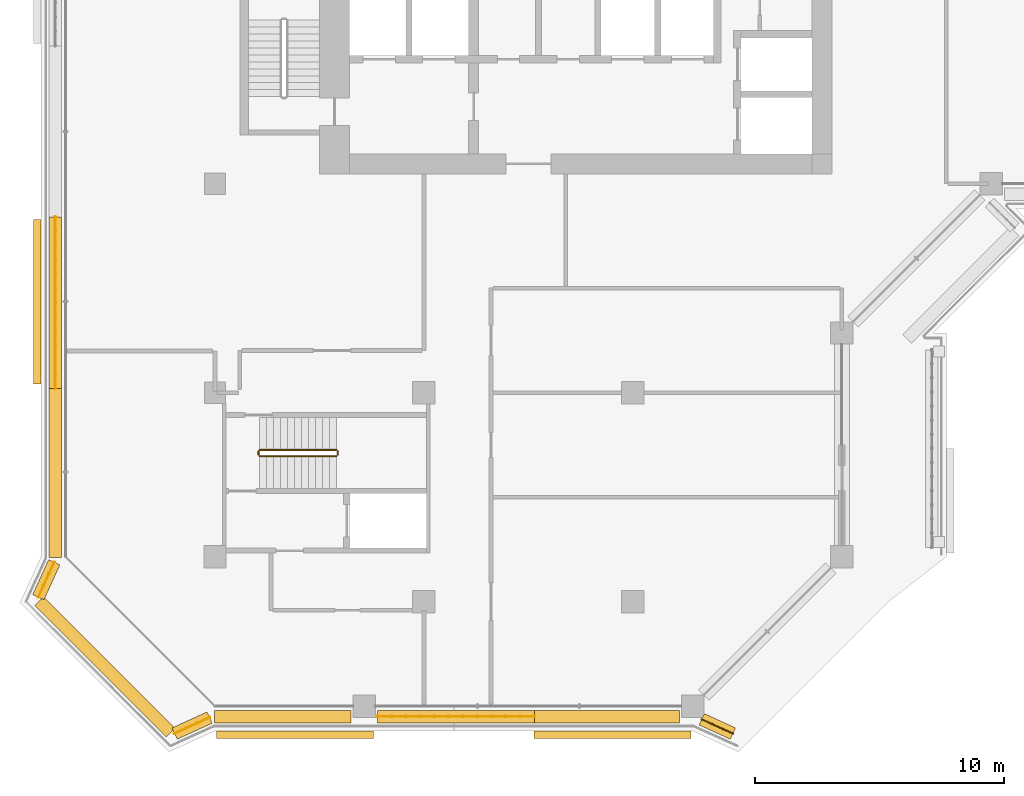
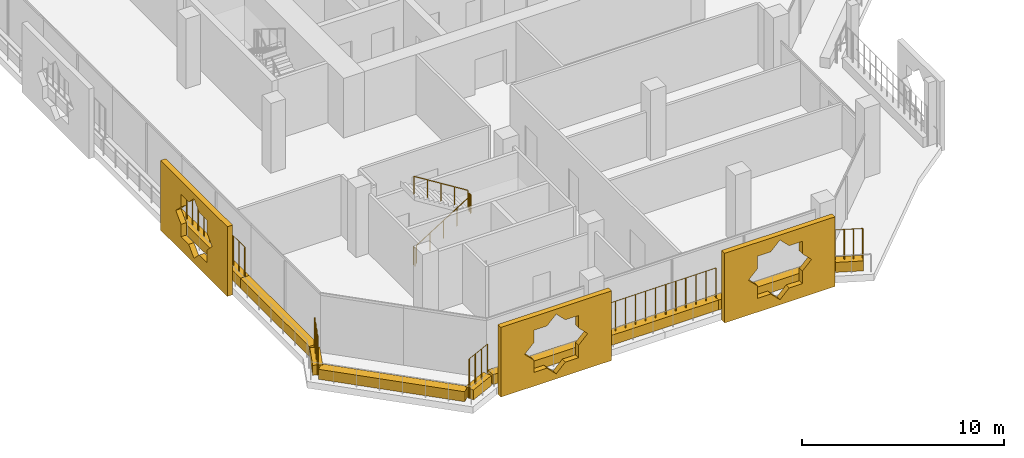
# One storey, part 14 of 20: 12 coverings, 9 railings.
"""IFC4 building model written with IfcOpenShell, lengths in metres."""

from ifc_helpers import new_model, si_unit, direction, frame, origin, origin_2d, place, context, subcontext, project, spatial, polyline, rectangle, circle, outline, extrude, material, material_profile, profile_set, type_object, element, save


model = new_model("IFC4")

# Units and contexts
model_context = context("Model", 3, precision=1e-05, world=origin(), true_north=direction((0.0, 1.0)))
body_context = subcontext(model_context, "Body", "Model", "MODEL_VIEW")
ifc_project = project(units=[si_unit("LENGTHUNIT", "METRE"), si_unit("AREAUNIT", "SQUARE_METRE"), si_unit("VOLUMEUNIT", "CUBIC_METRE"), si_unit("PLANEANGLEUNIT", "RADIAN"), si_unit("MASSUNIT", "GRAM", prefix="KILO")], contexts=[model_context])

# Site, building, storey
site_placement = place(None, origin())
site = spatial("IfcSite", under=ifc_project, at=site_placement, CompositionType="ELEMENT")
building_placement = place(site_placement, origin())
building = spatial("IfcBuilding", under=site, at=building_placement, Name="Kawkab Arch Medical Tower", CompositionType="ELEMENT")
storey_placement = place(building_placement, frame((0.0, 0.0, 239.0)))
storey = spatial("IfcBuildingStorey", under=building, at=storey_placement, Name="L55", CompositionType="ELEMENT", Elevation=239.0)

# Coverings
ifc_material_1 = material(Name="Bronze anodised aluminium mashrabiya panel, eight-point star pattern", Category="aluminium")
ifc_material_profile_1 = material_profile(ifc_material_1, outline(polyline([(-3.14990234375, -2.10009765625), (3.14990234375, -2.10009765625), (3.14990234375, 2.10009765625), (-3.14990234375, 2.10009765625), (-3.14990234375, -2.10009765625)]), holes=[polyline([(1.800048828125, 0.0), (1.272705078125, 0.527099609375), (1.272705078125, 1.272705078125), (0.527099609375, 1.272705078125), (0.0, 1.800048828125), (-0.527099609375, 1.272705078125), (-1.272705078125, 1.272705078125), (-1.272705078125, 0.527099609375), (-1.800048828125, 0.0), (-1.272705078125, -0.527099609375), (-1.272705078125, -1.272705078125), (-0.527099609375, -1.272705078125), (0.0, -1.800048828125), (0.527099609375, -1.272705078125), (1.272705078125, -1.272705078125), (1.272705078125, -0.527099609375), (1.800048828125, 0.0)])]), Name="Mashrabiya panel 6300x4200")
ifc_profile_set_1 = profile_set([ifc_material_profile_1], Name="Bronze anodised aluminium mashrabiya panel, eight-point star pattern")
covering_type_1 = type_object("IfcCoveringType", Name="Mashrabiya panel 6300 x 4200", PredefinedType="USERDEFINED", material=ifc_profile_set_1)
for number, where, z_axis, x_axis, name in (
    (1, (15.9814453125, -47.199951171875, 1.699951171875), (0.0, -1.0, 0.0), (1.0, 0.0, 0.0), "Mashrabiya panel L55.LOG-01-01.1"),
    (2, (3.218505859375, -47.199951171875, 1.699951171875), (0.0, -1.0, 0.0), (1.0, 0.0, 0.0), "Mashrabiya panel L55.LOG-01-01.2"),
):
    element("IfcCovering", number, at=place(storey_placement, frame(where, z_axis=z_axis, x_axis=x_axis)), inside=storey, type_object=covering_type_1, Name=name, ObjectType="SCREEN", PredefinedType="USERDEFINED", context=body_context, shape_type="SweptSolid", body=[
        extrude(outline(polyline([(-3.14990234375, -2.10009765625), (3.14990234375, -2.10009765625), (3.14990234375, 2.10009765625), (-3.14990234375, 2.10009765625), (-3.14990234375, -2.10009765625)]), holes=[polyline([(1.800048828125, 0.0), (1.272705078125, 0.527099609375), (1.272705078125, 1.272705078125), (0.527099609375, 1.272705078125), (0.0, 1.800048828125), (-0.527099609375, 1.272705078125), (-1.272705078125, 1.272705078125), (-1.272705078125, 0.527099609375), (-1.800048828125, 0.0), (-1.272705078125, -0.527099609375), (-1.272705078125, -1.272705078125), (-0.527099609375, -1.272705078125), (0.0, -1.800048828125), (0.527099609375, -1.272705078125), (1.272705078125, -1.272705078125), (1.272705078125, -0.527099609375), (1.800048828125, 0.0)])]), origin(), (0.0, 0.0, 1.0), 0.300048828125),
    ])
ifc_material_2 = material(Name="Bronze anodised aluminium mashrabiya panel, eight-point star pattern", Category="aluminium")
ifc_material_profile_2 = material_profile(ifc_material_2, outline(polyline([(-3.300048828125, -2.10009765625), (3.300048828125, -2.10009765625), (3.300048828125, 2.10009765625), (-3.300048828125, 2.10009765625), (-3.300048828125, -2.10009765625)]), holes=[polyline([(1.800048828125, 0.0), (1.272705078125, 0.527099609375), (1.272705078125, 1.272705078125), (0.527099609375, 1.272705078125), (0.0, 1.800048828125), (-0.527099609375, 1.272705078125), (-1.272705078125, 1.272705078125), (-1.272705078125, 0.527099609375), (-1.800048828125, 0.0), (-1.272705078125, -0.527099609375), (-1.272705078125, -1.272705078125), (-0.527099609375, -1.272705078125), (0.0, -1.800048828125), (0.527099609375, -1.272705078125), (1.272705078125, -1.272705078125), (1.272705078125, -0.527099609375), (1.800048828125, 0.0)])]), Name="Mashrabiya panel 6600x4200")
ifc_profile_set_2 = profile_set([ifc_material_profile_2], Name="Bronze anodised aluminium mashrabiya panel, eight-point star pattern")
covering_type_2 = type_object("IfcCoveringType", Name="Mashrabiya panel 6600 x 4200", PredefinedType="USERDEFINED", material=ifc_profile_set_2)
covering_1_placement = place(storey_placement, frame((-7.0, -29.94091796875, 1.699951171875), z_axis=(-1.0, 0.0, 0.0), x_axis=(0.0, -1.0, 0.0)))
element("IfcCovering", 3, at=covering_1_placement, inside=storey, type_object=covering_type_2, Name="Mashrabiya panel L55.LOG-01-01.3", ObjectType="SCREEN", PredefinedType="USERDEFINED", context=body_context, shape_type="SweptSolid", body=[
    extrude(outline(polyline([(-3.300048828125, -2.10009765625), (3.300048828125, -2.10009765625), (3.300048828125, 2.10009765625), (-3.300048828125, 2.10009765625), (-3.300048828125, -2.10009765625)]), holes=[polyline([(1.800048828125, 0.0), (1.272705078125, 0.527099609375), (1.272705078125, 1.272705078125), (0.527099609375, 1.272705078125), (0.0, 1.800048828125), (-0.527099609375, 1.272705078125), (-1.272705078125, 1.272705078125), (-1.272705078125, 0.527099609375), (-1.800048828125, 0.0), (-1.272705078125, -0.527099609375), (-1.272705078125, -1.272705078125), (-0.527099609375, -1.272705078125), (0.0, -1.800048828125), (0.527099609375, -1.272705078125), (1.272705078125, -1.272705078125), (1.272705078125, -0.527099609375), (1.800048828125, 0.0)])]), origin(), (0.0, 0.0, 1.0), 0.300048828125),
])
ifc_material_3 = material(Name="Planting soil in a precast trough", Category="concrete")
ifc_material_profile_3 = material_profile(ifc_material_3, rectangle(XDim=0.5, YDim=0.60009765625, at=origin_2d()), Name="Trough 500x600")
ifc_profile_set_3 = profile_set([ifc_material_profile_3], Name="Planting soil in a precast trough")
covering_type_3 = type_object("IfcCoveringType", Name="Planter trough 500 x 600", PredefinedType="USERDEFINED", material=ifc_profile_set_3)
covering_2_placement = place(storey_placement, frame((20.821044921875, -47.302001953125, 0.300048828125), z_axis=(-0.909831953447, 0.41497688669, 0.0), x_axis=(-0.41497688669, -0.909831953447, 0.0)))
element("IfcCovering", 4, at=covering_2_placement, inside=storey, type_object=covering_type_3, Name="Planter L55.LOG-01-01.1", ObjectType="PLANTER", PredefinedType="USERDEFINED", context=body_context, shape_type="SweptSolid", body=[
    extrude(rectangle(XDim=0.5, YDim=0.60009765625, at=origin_2d()), origin(), (0.0, 0.0, 1.0), 1.37841796875),
])
covering_3_placement = place(storey_placement, frame((18.669921875, -46.6201171875, 0.300048828125), z_axis=(-1.0, 0.0, 0.0), x_axis=(0.0, -1.0, 0.0)))
element("IfcCovering", 5, at=covering_3_placement, inside=storey, type_object=covering_type_3, Name="Planter L55.LOG-01-01.2", ObjectType="PLANTER", PredefinedType="USERDEFINED", context=body_context, shape_type="SweptSolid", body=[
    extrude(rectangle(XDim=0.5, YDim=0.60009765625, at=origin_2d()), origin(), (0.0, 0.0, 1.0), 5.827880859375),
])
covering_4_placement = place(storey_placement, frame((12.842041015625, -46.6201171875, 0.300048828125), z_axis=(-1.0, 0.0, 0.0), x_axis=(0.0, -1.0, 0.0)))
element("IfcCovering", 6, at=covering_4_placement, inside=storey, type_object=covering_type_3, Name="Planter L55.LOG-01-01.3", ObjectType="PLANTER", PredefinedType="USERDEFINED", context=body_context, shape_type="SweptSolid", body=[
    extrude(rectangle(XDim=0.5, YDim=0.60009765625, at=origin_2d()), origin(), (0.0, 0.0, 1.0), 6.31201171875),
])
covering_5_placement = place(storey_placement, frame((5.469970703125, -46.6201171875, 0.300048828125), z_axis=(-1.0, 0.0, 0.0), x_axis=(0.0, -1.0, 0.0)))
element("IfcCovering", 7, at=covering_5_placement, inside=storey, type_object=covering_type_3, Name="Planter L55.LOG-01-01.4", ObjectType="PLANTER", PredefinedType="USERDEFINED", context=body_context, shape_type="SweptSolid", body=[
    extrude(rectangle(XDim=0.5, YDim=0.60009765625, at=origin_2d()), origin(), (0.0, 0.0, 1.0), 5.495849609375),
])
covering_6_placement = place(storey_placement, frame((-0.217041015625, -46.660888671875, 0.300048828125), z_axis=(-0.909655525109, -0.415363486165, 0.0), x_axis=(0.415363486165, -0.909655525109, 0.0)))
element("IfcCovering", 8, at=covering_6_placement, inside=storey, type_object=covering_type_3, Name="Planter L55.LOG-01-01.5", ObjectType="PLANTER", PredefinedType="USERDEFINED", context=body_context, shape_type="SweptSolid", body=[
    extrude(rectangle(XDim=0.5, YDim=0.60009765625, at=origin_2d()), origin(), (0.0, 0.0, 1.0), 1.54345703125),
])
covering_7_placement = place(storey_placement, frame((-1.782958984375, -47.27294921875, 0.300048828125), z_axis=(-0.707106781187, 0.707106781187, 0.0), x_axis=(-0.707106781187, -0.707106781187, 0.0)))
element("IfcCovering", 9, at=covering_7_placement, inside=storey, type_object=covering_type_3, Name="Planter L55.LOG-01-01.6", ObjectType="PLANTER", PredefinedType="USERDEFINED", context=body_context, shape_type="SweptSolid", body=[
    extrude(rectangle(XDim=0.5, YDim=0.60009765625, at=origin_2d()), origin(), (0.0, 0.0, 1.0), 7.481201171875),
])
covering_8_placement = place(storey_placement, frame((-7.10205078125, -41.821044921875, 0.300048828125), z_axis=(0.415363486165, 0.909655525109, 0.0), x_axis=(-0.909655525109, 0.415363486165, 0.0)))
element("IfcCovering", 10, at=covering_8_placement, inside=storey, type_object=covering_type_3, Name="Planter L55.LOG-01-01.7", ObjectType="PLANTER", PredefinedType="USERDEFINED", context=body_context, shape_type="SweptSolid", body=[
    extrude(rectangle(XDim=0.5, YDim=0.60009765625, at=origin_2d()), origin(), (0.0, 0.0, 1.0), 1.54345703125),
])
covering_9_placement = place(storey_placement, frame((-6.419921875, -40.22607421875, 0.300048828125), z_axis=(0.0, 1.0, 0.0), x_axis=(-1.0, 0.0, 0.0)))
element("IfcCovering", 11, at=covering_9_placement, inside=storey, type_object=covering_type_3, Name="Planter L55.LOG-01-01.8", ObjectType="PLANTER", PredefinedType="USERDEFINED", context=body_context, shape_type="SweptSolid", body=[
    extrude(rectangle(XDim=0.5, YDim=0.60009765625, at=origin_2d()), origin(), (0.0, 0.0, 1.0), 6.7900390625),
])
covering_10_placement = place(storey_placement, frame((-6.419921875, -33.43603515625, 0.300048828125), z_axis=(0.0, 1.0, 0.0), x_axis=(-1.0, 0.0, 0.0)))
element("IfcCovering", 12, at=covering_10_placement, inside=storey, type_object=covering_type_3, Name="Planter L55.LOG-01-01.9", ObjectType="PLANTER", PredefinedType="USERDEFINED", context=body_context, shape_type="SweptSolid", body=[
    extrude(rectangle(XDim=0.5, YDim=0.60009765625, at=origin_2d()), origin(), (0.0, 0.0, 1.0), 6.89111328125),
])

# Railings
ifc_material_4 = material(Name="Bronze anodised aluminium trellis for climbing plants", Category="aluminium")
railing_type_1 = type_object("IfcRailingType", Name="Planting trellis 2400", PredefinedType="USERDEFINED", material=ifc_material_4)
railing_1_placement = place(storey_placement, frame((20.821044921875, -47.302001953125, 0.0)))
element("IfcRailing", 13, at=railing_1_placement, inside=storey, type_object=railing_type_1, Name="Planting trellis L55.LOG-01-01.1", ObjectType="TRELLIS", PredefinedType="USERDEFINED", context=body_context, shape_type="SweptSolid", body=[
    extrude(circle(Radius=0.01513671875, at=origin_2d()), frame((0.0, 0.0, 2.384765625), z_axis=(-0.909831953447, 0.41497688669, 0.0), x_axis=(-0.41497688669, -0.909831953447, 0.0)), (0.0, 0.0, 1.0), 1.37841796875),
    extrude(circle(Radius=0.030029296875, at=origin_2d()), origin(), (0.0, 0.0, 1.0), 2.369873046875),
    extrude(circle(Radius=0.030029296875, at=origin_2d()), frame((-0.41796875, 0.190673828125, 0.0)), (0.0, 0.0, 1.0), 2.369873046875),
    extrude(circle(Radius=0.030029296875, at=origin_2d()), frame((-0.836181640625, 0.38134765625, 0.0)), (0.0, 0.0, 1.0), 2.369873046875),
    extrude(circle(Radius=0.030029296875, at=origin_2d()), frame((-1.254150390625, 0.572021484375, 0.0)), (0.0, 0.0, 1.0), 2.369873046875),
])
railing_2_placement = place(storey_placement, frame((12.842041015625, -46.6201171875, 0.0)))
element("IfcRailing", 14, at=railing_2_placement, inside=storey, type_object=railing_type_1, Name="Planting trellis L55.LOG-01-01.3", ObjectType="TRELLIS", PredefinedType="USERDEFINED", context=body_context, shape_type="SweptSolid", body=[
    extrude(circle(Radius=0.01513671875, at=origin_2d()), frame((0.0, 0.0, 2.384765625), z_axis=(-1.0, 0.0, 0.0), x_axis=(0.0, -1.0, 0.0)), (0.0, 0.0, 1.0), 6.31201171875),
    extrude(circle(Radius=0.030029296875, at=origin_2d()), origin(), (0.0, 0.0, 1.0), 2.369873046875),
    extrude(circle(Radius=0.030029296875, at=origin_2d()), frame((-0.57373046875, 0.0, 0.0)), (0.0, 0.0, 1.0), 2.369873046875),
    extrude(circle(Radius=0.030029296875, at=origin_2d()), frame((-1.147705078125, 0.0, 0.0)), (0.0, 0.0, 1.0), 2.369873046875),
    extrude(circle(Radius=0.030029296875, at=origin_2d()), frame((-1.721435546875, 0.0, 0.0)), (0.0, 0.0, 1.0), 2.369873046875),
    extrude(circle(Radius=0.030029296875, at=origin_2d()), frame((-2.295166015625, 0.0, 0.0)), (0.0, 0.0, 1.0), 2.369873046875),
    extrude(circle(Radius=0.030029296875, at=origin_2d()), frame((-2.869140625, 0.0, 0.0)), (0.0, 0.0, 1.0), 2.369873046875),
    extrude(circle(Radius=0.030029296875, at=origin_2d()), frame((-3.44287109375, 0.0, 0.0)), (0.0, 0.0, 1.0), 2.369873046875),
    extrude(circle(Radius=0.030029296875, at=origin_2d()), frame((-4.016845703125, 0.0, 0.0)), (0.0, 0.0, 1.0), 2.369873046875),
    extrude(circle(Radius=0.030029296875, at=origin_2d()), frame((-4.590576171875, 0.0, 0.0)), (0.0, 0.0, 1.0), 2.369873046875),
    extrude(circle(Radius=0.030029296875, at=origin_2d()), frame((-5.164306640625, 0.0, 0.0)), (0.0, 0.0, 1.0), 2.369873046875),
    extrude(circle(Radius=0.030029296875, at=origin_2d()), frame((-5.73828125, 0.0, 0.0)), (0.0, 0.0, 1.0), 2.369873046875),
    extrude(circle(Radius=0.030029296875, at=origin_2d()), frame((-6.31201171875, 0.0, 0.0)), (0.0, 0.0, 1.0), 2.369873046875),
])
railing_3_placement = place(storey_placement, frame((-0.217041015625, -46.660888671875, 0.0)))
element("IfcRailing", 15, at=railing_3_placement, inside=storey, type_object=railing_type_1, Name="Planting trellis L55.LOG-01-01.5", ObjectType="TRELLIS", PredefinedType="USERDEFINED", context=body_context, shape_type="SweptSolid", body=[
    extrude(circle(Radius=0.01513671875, at=origin_2d()), frame((0.0, 0.0, 2.384765625), z_axis=(-0.909655525109, -0.415363486165, 0.0), x_axis=(0.415363486165, -0.909655525109, 0.0)), (0.0, 0.0, 1.0), 1.54345703125),
    extrude(circle(Radius=0.030029296875, at=origin_2d()), origin(), (0.0, 0.0, 1.0), 2.369873046875),
    extrude(circle(Radius=0.030029296875, at=origin_2d()), frame((-0.468017578125, -0.213623046875, 0.0)), (0.0, 0.0, 1.0), 2.369873046875),
    extrude(circle(Radius=0.030029296875, at=origin_2d()), frame((-0.93603515625, -0.427490234375, 0.0)), (0.0, 0.0, 1.0), 2.369873046875),
    extrude(circle(Radius=0.030029296875, at=origin_2d()), frame((-1.404052734375, -0.64111328125, 0.0)), (0.0, 0.0, 1.0), 2.369873046875),
])
railing_4_placement = place(storey_placement, frame((-7.10205078125, -41.821044921875, 0.0)))
element("IfcRailing", 16, at=railing_4_placement, inside=storey, type_object=railing_type_1, Name="Planting trellis L55.LOG-01-01.7", ObjectType="TRELLIS", PredefinedType="USERDEFINED", context=body_context, shape_type="SweptSolid", body=[
    extrude(circle(Radius=0.01513671875, at=origin_2d()), frame((0.0, 0.0, 2.384765625), z_axis=(0.415363486165, 0.909655525109, 0.0), x_axis=(-0.909655525109, 0.415363486165, 0.0)), (0.0, 0.0, 1.0), 1.54345703125),
    extrude(circle(Radius=0.030029296875, at=origin_2d()), origin(), (0.0, 0.0, 1.0), 2.369873046875),
    extrude(circle(Radius=0.030029296875, at=origin_2d()), frame((0.213623046875, 0.468017578125, 0.0)), (0.0, 0.0, 1.0), 2.369873046875),
    extrude(circle(Radius=0.030029296875, at=origin_2d()), frame((0.427490234375, 0.93603515625, 0.0)), (0.0, 0.0, 1.0), 2.369873046875),
    extrude(circle(Radius=0.030029296875, at=origin_2d()), frame((0.64111328125, 1.404052734375, 0.0)), (0.0, 0.0, 1.0), 2.369873046875),
])
railing_5_placement = place(storey_placement, frame((-6.419921875, -33.43603515625, 0.0)))
element("IfcRailing", 17, at=railing_5_placement, inside=storey, type_object=railing_type_1, Name="Planting trellis L55.LOG-01-01.9", ObjectType="TRELLIS", PredefinedType="USERDEFINED", context=body_context, shape_type="SweptSolid", body=[
    extrude(circle(Radius=0.01513671875, at=origin_2d()), frame((0.0, 0.0, 2.384765625), z_axis=(0.0, 1.0, 0.0), x_axis=(-1.0, 0.0, 0.0)), (0.0, 0.0, 1.0), 6.89111328125),
    extrude(circle(Radius=0.030029296875, at=origin_2d()), origin(), (0.0, 0.0, 1.0), 2.369873046875),
    extrude(circle(Radius=0.030029296875, at=origin_2d()), frame((0.0, 0.57421875, 0.0)), (0.0, 0.0, 1.0), 2.369873046875),
    extrude(circle(Radius=0.030029296875, at=origin_2d()), frame((0.0, 1.1484375, 0.0)), (0.0, 0.0, 1.0), 2.369873046875),
    extrude(circle(Radius=0.030029296875, at=origin_2d()), frame((0.0, 1.72265625, 0.0)), (0.0, 0.0, 1.0), 2.369873046875),
    extrude(circle(Radius=0.030029296875, at=origin_2d()), frame((0.0, 2.297119140625, 0.0)), (0.0, 0.0, 1.0), 2.369873046875),
    extrude(circle(Radius=0.030029296875, at=origin_2d()), frame((0.0, 2.871337890625, 0.0)), (0.0, 0.0, 1.0), 2.369873046875),
    extrude(circle(Radius=0.030029296875, at=origin_2d()), frame((0.0, 3.445556640625, 0.0)), (0.0, 0.0, 1.0), 2.369873046875),
    extrude(circle(Radius=0.030029296875, at=origin_2d()), frame((0.0, 4.019775390625, 0.0)), (0.0, 0.0, 1.0), 2.369873046875),
    extrude(circle(Radius=0.030029296875, at=origin_2d()), frame((0.0, 4.593994140625, 0.0)), (0.0, 0.0, 1.0), 2.369873046875),
    extrude(circle(Radius=0.030029296875, at=origin_2d()), frame((0.0, 5.16845703125, 0.0)), (0.0, 0.0, 1.0), 2.369873046875),
    extrude(circle(Radius=0.030029296875, at=origin_2d()), frame((0.0, 5.74267578125, 0.0)), (0.0, 0.0, 1.0), 2.369873046875),
    extrude(circle(Radius=0.030029296875, at=origin_2d()), frame((0.0, 6.31689453125, 0.0)), (0.0, 0.0, 1.0), 2.369873046875),
    extrude(circle(Radius=0.030029296875, at=origin_2d()), frame((0.0, 6.89111328125, 0.0)), (0.0, 0.0, 1.0), 2.369873046875),
])
ifc_material_5 = material(Name="Stainless steel", Category="steel")
railing_type_2 = type_object("IfcRailingType", Name="Stair guard 1100", PredefinedType="GUARDRAIL", material=ifc_material_5)
railing_6_placement = place(storey_placement, frame((1.800048828125, -36.14990234375, 0.175048828125)))
element("IfcRailing", 18, at=railing_6_placement, inside=storey, type_object=railing_type_2, Name="L55 ST6 stair guard 1", PredefinedType="GUARDRAIL", context=body_context, shape_type="SweptSolid", body=[
    extrude(circle(Radius=0.02392578125, at=origin_2d()), frame((0.0, 0.0, 1.076171875), z_axis=(0.847979421464, 0.0, 0.530029150871), x_axis=(0.0, 1.0, 0.0)), (0.0, 0.0, 1.0), 3.632080078125),
    extrude(circle(Radius=0.02099609375, at=origin_2d()), origin(), (0.0, 0.0, 1.0), 1.052001953125),
    extrude(circle(Radius=0.02099609375, at=origin_2d()), frame((0.77001953125, 0.0, 0.481201171875)), (0.0, 0.0, 1.0), 1.052001953125),
    extrude(circle(Radius=0.02099609375, at=origin_2d()), frame((1.5400390625, 0.0, 0.96240234375)), (0.0, 0.0, 1.0), 1.052001953125),
    extrude(circle(Radius=0.02099609375, at=origin_2d()), frame((2.309814453125, 0.0, 1.44384765625)), (0.0, 0.0, 1.0), 1.052001953125),
    extrude(circle(Radius=0.02099609375, at=origin_2d()), frame((3.079833984375, 0.0, 1.925048828125)), (0.0, 0.0, 1.0), 1.052001953125),
])
railing_7_placement = place(storey_placement, frame((4.929931640625, -36.10009765625, 2.10009765625)))
element("IfcRailing", 19, at=railing_7_placement, inside=storey, type_object=railing_type_2, Name="L55 ST6 stair guard 2", PredefinedType="GUARDRAIL", context=body_context, shape_type="SweptSolid", body=[
    extrude(circle(Radius=0.02392578125, at=origin_2d()), frame((0.0, 0.0, 1.076171875), z_axis=(0.0, 1.0, 0.0), x_axis=(-1.0, 0.0, 0.0)), (0.0, 0.0, 1.0), 0.150146484375),
    extrude(circle(Radius=0.02099609375, at=origin_2d()), origin(), (0.0, 0.0, 1.0), 1.052001953125),
    extrude(circle(Radius=0.02099609375, at=origin_2d()), frame((0.0, 0.150146484375, 0.0)), (0.0, 0.0, 1.0), 1.052001953125),
])
railing_8_placement = place(storey_placement, frame((4.8798828125, -35.89990234375, 2.27490234375)))
element("IfcRailing", 20, at=railing_8_placement, inside=storey, type_object=railing_type_2, Name="L55 ST6 stair guard 3", PredefinedType="GUARDRAIL", context=body_context, shape_type="SweptSolid", body=[
    extrude(circle(Radius=0.02392578125, at=origin_2d()), frame((0.0, 0.0, 1.076171875), z_axis=(-0.847979421464, 0.0, 0.530029150871), x_axis=(0.0, -1.0, 0.0)), (0.0, 0.0, 1.0), 3.632080078125),
    extrude(circle(Radius=0.02099609375, at=origin_2d()), origin(), (0.0, 0.0, 1.0), 1.052001953125),
    extrude(circle(Radius=0.02099609375, at=origin_2d()), frame((-0.77001953125, 0.0, 0.481201171875)), (0.0, 0.0, 1.0), 1.052001953125),
    extrude(circle(Radius=0.02099609375, at=origin_2d()), frame((-1.5400390625, 0.0, 0.96240234375)), (0.0, 0.0, 1.0), 1.052001953125),
    extrude(circle(Radius=0.02099609375, at=origin_2d()), frame((-2.309814453125, 0.0, 1.44384765625)), (0.0, 0.0, 1.0), 1.052001953125),
    extrude(circle(Radius=0.02099609375, at=origin_2d()), frame((-3.079833984375, 0.0, 1.925048828125)), (0.0, 0.0, 1.0), 1.052001953125),
])
railing_9_placement = place(storey_placement, frame((1.75, -36.10009765625, 0.0)))
element("IfcRailing", 21, at=railing_9_placement, inside=storey, type_object=railing_type_2, Name="L55 ST6 stair guard 4", PredefinedType="GUARDRAIL", context=body_context, shape_type="SweptSolid", body=[
    extrude(circle(Radius=0.02392578125, at=origin_2d()), frame((0.0, 0.0, 1.076171875), z_axis=(0.0, 1.0, 0.0), x_axis=(-1.0, 0.0, 0.0)), (0.0, 0.0, 1.0), 0.150146484375),
    extrude(circle(Radius=0.02099609375, at=origin_2d()), origin(), (0.0, 0.0, 1.0), 1.052001953125),
    extrude(circle(Radius=0.02099609375, at=origin_2d()), frame((0.0, 0.150146484375, 0.0)), (0.0, 0.0, 1.0), 1.052001953125),
])

save(model, "model.ifc")
